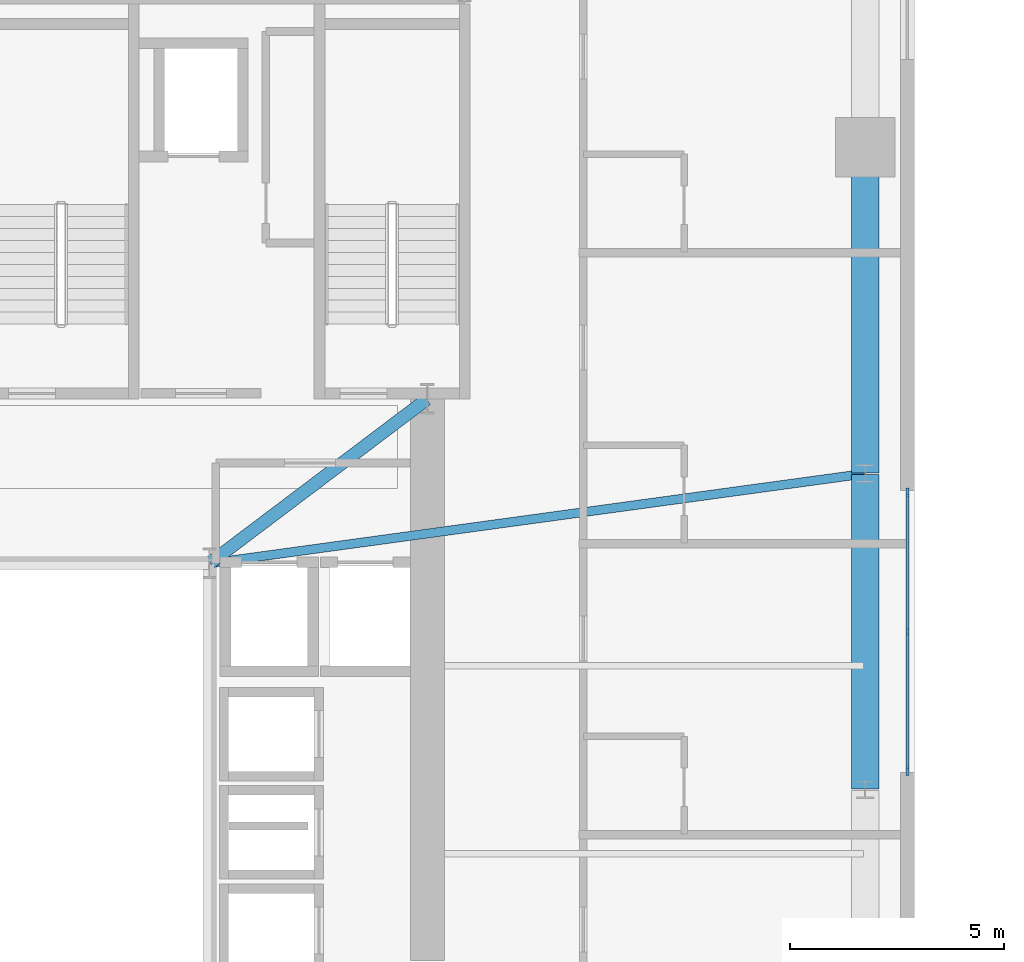
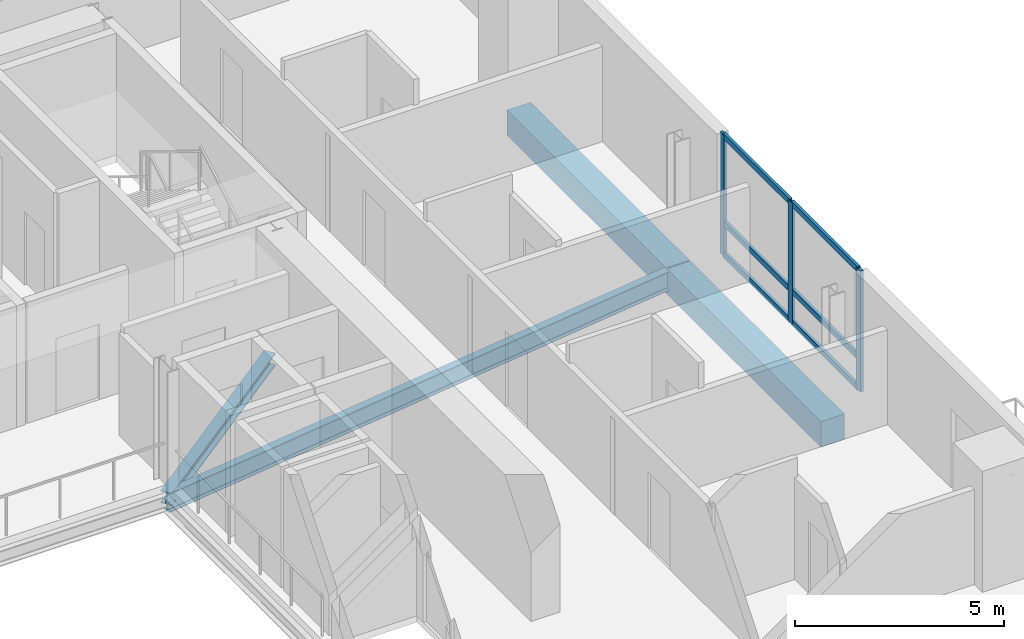
# One storey, part 5 of 16: 9 members, 4 beams, 1 element without a shape of its own.
"""IFC4 building model written with IfcOpenShell, lengths in metres."""

from ifc_helpers import new_model, si_unit, direction, frame, origin, origin_2d, place, context, subcontext, project, spatial, rectangle, i_section, extrude, source, transform, mapped, material, material_profile, profile_set, type_object, element, aggregate, save


model = new_model("IFC4")

# Units and contexts
model_context = context("Model", 3, precision=1e-05, world=origin(), true_north=direction((0.0, 1.0)))
body_context = subcontext(model_context, "Body", "Model", "MODEL_VIEW")
ifc_project = project(units=[si_unit("LENGTHUNIT", "METRE"), si_unit("AREAUNIT", "SQUARE_METRE"), si_unit("VOLUMEUNIT", "CUBIC_METRE"), si_unit("PLANEANGLEUNIT", "RADIAN"), si_unit("MASSUNIT", "GRAM", prefix="KILO")], contexts=[model_context])

# Site, building, storey
site_placement = place(None, origin())
site = spatial("IfcSite", under=ifc_project, at=site_placement, CompositionType="ELEMENT")
building_placement = place(site_placement, origin())
building = spatial("IfcBuilding", under=site, at=building_placement, Name="Vardaveli Station Tower", CompositionType="ELEMENT")
storey_placement = place(building_placement, frame((0.0, 0.0, 226.050048828125)))
storey = spatial("IfcBuildingStorey", under=building, at=storey_placement, Name="L58", CompositionType="ELEMENT", Elevation=226.050048828125)

# Beams
ifc_material_1 = material(Name="Structural steel S355J2", Category="steel")
ifc_material_profile_1 = material_profile(ifc_material_1, i_section(OverallWidth=0.300048828125, OverallDepth=0.360107421875, WebThickness=0.012451171875, FlangeThickness=0.0224609375, FilletRadius=0.027099609375, at=origin_2d()), Name="HEB 360")
ifc_profile_set_1 = profile_set([ifc_material_profile_1], Name="Structural steel S355J2")
beam_type_1 = type_object("IfcBeamType", Name="BM-HEB360", PredefinedType="BEAM", material=ifc_profile_set_1)
shared_shape_1 = source(origin(), body_context, "Body", "SweptSolid", [
    extrude(i_section(OverallWidth=0.300048828125, OverallDepth=0.360107421875, WebThickness=0.012451171875, FlangeThickness=0.0224609375, FilletRadius=0.027099609375, at=origin_2d()), origin(), (0.0, 0.0, 1.0), 6.35009765625),
])
beam_1_placement = place(storey_placement, frame((41.416015625, 26.81201171875, -0.400146484375), z_axis=(0.798118337722, 0.602500721154, 0.0), x_axis=(-0.602500721154, 0.798118337722, 0.0)))
element("IfcBeam", 1, at=beam_1_placement, inside=storey, type_object=beam_type_1, Name="CBM-L58-02", PredefinedType="BEAM", context=body_context, shape_type="MappedRepresentation", body=[
    mapped(shared_shape_1, transform((0.0, 0.0, 0.0), scale=1.0)),
])
ifc_material_2 = material(Name="Precast concrete C45/55", Category="concrete")
ifc_material_profile_2 = material_profile(ifc_material_2, rectangle(XDim=0.64990234375, YDim=0.75, at=origin_2d()), Name="LPB 650x750")
ifc_profile_set_2 = profile_set([ifc_material_profile_2], Name="Precast concrete C45/55")
beam_type_2 = type_object("IfcBeamType", Name="BM-LPB-750", PredefinedType="BEAM", material=ifc_profile_set_2)
shared_shape_2 = source(origin(), body_context, "Body", "SweptSolid", [
    extrude(rectangle(XDim=0.64990234375, YDim=0.75, at=origin_2d()), origin(), (0.0, 0.0, 1.0), 7.60009765625),
])
beam_2_placement = place(storey_placement, frame((56.75, 28.919921875, -0.594970703125), z_axis=(0.0, 1.0, 0.0), x_axis=(-1.0, 0.0, 0.0)))
element("IfcBeam", 2, at=beam_2_placement, inside=storey, type_object=beam_type_2, Name="RBM-L58-09", PredefinedType="BEAM", context=body_context, shape_type="MappedRepresentation", body=[
    mapped(shared_shape_2, transform((0.0, 0.0, 0.0), scale=1.0)),
])
shared_shape_3 = source(origin(), body_context, "Body", "SweptSolid", [
    extrude(rectangle(XDim=0.64990234375, YDim=0.75, at=origin_2d()), origin(), (0.0, 0.0, 1.0), 7.35986328125),
])
beam_3_placement = place(storey_placement, frame((56.75, 21.52001953125, -0.594970703125), z_axis=(0.0, 1.0, 0.0), x_axis=(-1.0, 0.0, 0.0)))
element("IfcBeam", 3, at=beam_3_placement, inside=storey, type_object=beam_type_2, Name="RBM-L58-08", PredefinedType="BEAM", context=body_context, shape_type="MappedRepresentation", body=[
    mapped(shared_shape_3, transform((0.0, 0.0, 0.0), scale=1.0)),
])
ifc_material_profile_3 = material_profile(ifc_material_1, i_section(OverallWidth=0.2099609375, OverallDepth=0.550048828125, WebThickness=0.010986328125, FlangeThickness=0.01708984375, FilletRadius=0.02392578125, at=origin_2d()), Name="IPE 550")
ifc_profile_set_3 = profile_set([ifc_material_profile_3], Name="Structural steel S355J2")
beam_type_3 = type_object("IfcBeamType", Name="BM-IPE550", PredefinedType="BEAM", material=ifc_profile_set_3)
shared_shape_4 = source(origin(), body_context, "Body", "SweptSolid", [
    extrude(i_section(OverallWidth=0.2099609375, OverallDepth=0.550048828125, WebThickness=0.010986328125, FlangeThickness=0.01708984375, FilletRadius=0.02392578125, at=origin_2d()), origin(), (0.0, 0.0, 1.0), 15.452880859375),
])
beam_4_placement = place(storey_placement, frame((56.730224609375, 28.897216796875, -0.4951171875), z_axis=(-0.99077191151, -0.135539733521, 0.0), x_axis=(0.135539733521, -0.99077191151, 0.0)))
element("IfcBeam", 4, at=beam_4_placement, inside=storey, type_object=beam_type_3, Name="GBM-L58-07", PredefinedType="BEAM", context=body_context, shape_type="MappedRepresentation", body=[
    mapped(shared_shape_4, transform((0.0, 0.0, 0.0), scale=1.0)),
])

# Curtain wall, members
ifc_material_3 = material(Name="Travertine stone and solar-control glass", Category="masonry")
curtain_wall_type = type_object("IfcCurtainWallType", Name="CW-SYS-5", PredefinedType="NOTDEFINED", material=ifc_material_3)
curtain_wall_placement = place(storey_placement, origin())
curtain_wall = element("IfcCurtainWall", 5, at=curtain_wall_placement, inside=storey, type_object=curtain_wall_type, Name="CW-L58-E", PredefinedType="NOTDEFINED")
ifc_material_4 = material(Name="Anodised aluminium alloy 6063-T6", Category="aluminium")
ifc_material_profile_4 = material_profile(ifc_material_4, rectangle(XDim=0.080078125, YDim=0.1650390625, at=origin_2d()), Name="CWT 80x165")
ifc_profile_set_4 = profile_set([ifc_material_profile_4], Name="Anodised aluminium alloy 6063-T6")
member_type_1 = type_object("IfcMemberType", Name="CW-SYS-5-TRAN", PredefinedType="NOTDEFINED", material=ifc_profile_set_4)
shared_shape_5 = source(origin(), body_context, "Body", "SweptSolid", [
    extrude(rectangle(XDim=0.080078125, YDim=0.1650390625, at=origin_2d()), origin(), (0.0, 0.0, 1.0), 3.179931640625),
])
member_1_placement = place(storey_placement, frame((57.739990234375, 21.97998046875, 0.0400390625), z_axis=(0.0, 1.0, 0.0), x_axis=(-1.0, 0.0, 0.0)))
member_1 = element("IfcMember", 6, at=member_1_placement, type_object=member_type_1, Name="CW-5 transom 1.1", ObjectType="TRANSOM", PredefinedType="USERDEFINED", context=body_context, shape_type="MappedRepresentation", body=[
    mapped(shared_shape_5, transform((0.0, 0.0, 0.0), scale=1.0)),
])
member_2_placement = place(storey_placement, frame((57.739990234375, 21.97998046875, 0.949951171875), z_axis=(0.0, 1.0, 0.0), x_axis=(-1.0, 0.0, 0.0)))
member_2 = element("IfcMember", 7, at=member_2_placement, type_object=member_type_1, Name="CW-5 transom 1.2", ObjectType="TRANSOM", PredefinedType="USERDEFINED", context=body_context, shape_type="MappedRepresentation", body=[
    mapped(shared_shape_5, transform((0.0, 0.0, 0.0), scale=1.0)),
])
member_3_placement = place(storey_placement, frame((57.739990234375, 21.97998046875, 3.489990234375), z_axis=(0.0, 1.0, 0.0), x_axis=(-1.0, 0.0, 0.0)))
member_3 = element("IfcMember", 8, at=member_3_placement, type_object=member_type_1, Name="CW-5 transom 1.3", ObjectType="TRANSOM", PredefinedType="USERDEFINED", context=body_context, shape_type="MappedRepresentation", body=[
    mapped(shared_shape_5, transform((0.0, 0.0, 0.0), scale=1.0)),
])
member_4_placement = place(storey_placement, frame((57.739990234375, 25.239990234375, 0.0400390625), z_axis=(0.0, 1.0, 0.0), x_axis=(-1.0, 0.0, 0.0)))
member_4 = element("IfcMember", 9, at=member_4_placement, type_object=member_type_1, Name="CW-5 transom 2.1", ObjectType="TRANSOM", PredefinedType="USERDEFINED", context=body_context, shape_type="MappedRepresentation", body=[
    mapped(shared_shape_5, transform((0.0, 0.0, 0.0), scale=1.0)),
])
member_5_placement = place(storey_placement, frame((57.739990234375, 25.239990234375, 0.949951171875), z_axis=(0.0, 1.0, 0.0), x_axis=(-1.0, 0.0, 0.0)))
member_5 = element("IfcMember", 10, at=member_5_placement, type_object=member_type_1, Name="CW-5 transom 2.2", ObjectType="TRANSOM", PredefinedType="USERDEFINED", context=body_context, shape_type="MappedRepresentation", body=[
    mapped(shared_shape_5, transform((0.0, 0.0, 0.0), scale=1.0)),
])
member_6_placement = place(storey_placement, frame((57.739990234375, 25.239990234375, 3.489990234375), z_axis=(0.0, 1.0, 0.0), x_axis=(-1.0, 0.0, 0.0)))
member_6 = element("IfcMember", 11, at=member_6_placement, type_object=member_type_1, Name="CW-5 transom 2.3", ObjectType="TRANSOM", PredefinedType="USERDEFINED", context=body_context, shape_type="MappedRepresentation", body=[
    mapped(shared_shape_5, transform((0.0, 0.0, 0.0), scale=1.0)),
])
ifc_material_profile_5 = material_profile(ifc_material_4, rectangle(XDim=0.080078125, YDim=0.205078125, at=origin_2d()), Name="CWM 80x205")
ifc_profile_set_5 = profile_set([ifc_material_profile_5], Name="Anodised aluminium alloy 6063-T6")
member_type_2 = type_object("IfcMemberType", Name="CW-SYS-5-MULL", PredefinedType="MULLION", material=ifc_profile_set_5)
shared_shape_6 = source(origin(), body_context, "Body", "SweptSolid", [
    extrude(rectangle(XDim=0.080078125, YDim=0.205078125, at=origin_2d()), origin(), (0.0, 0.0, 1.0), 3.530029296875),
])
member_7_placement = place(storey_placement, frame((57.739990234375, 21.93994140625, 0.0), z_axis=(0.0, 0.0, 1.0), x_axis=(-1.0, 0.0, 0.0)))
member_7 = element("IfcMember", 12, at=member_7_placement, type_object=member_type_2, Name="CW-5 mullion 1", PredefinedType="MULLION", context=body_context, shape_type="MappedRepresentation", body=[
    mapped(shared_shape_6, transform((0.0, 0.0, 0.0), scale=1.0)),
])
member_8_placement = place(storey_placement, frame((57.739990234375, 25.199951171875, 0.0), z_axis=(0.0, 0.0, 1.0), x_axis=(-1.0, 0.0, 0.0)))
member_8 = element("IfcMember", 13, at=member_8_placement, type_object=member_type_2, Name="CW-5 mullion 2", PredefinedType="MULLION", context=body_context, shape_type="MappedRepresentation", body=[
    mapped(shared_shape_6, transform((0.0, 0.0, 0.0), scale=1.0)),
])
member_9_placement = place(storey_placement, frame((57.739990234375, 28.4599609375, 0.0), z_axis=(0.0, 0.0, 1.0), x_axis=(-1.0, 0.0, 0.0)))
member_9 = element("IfcMember", 14, at=member_9_placement, type_object=member_type_2, Name="CW-5 mullion 3", PredefinedType="MULLION", context=body_context, shape_type="MappedRepresentation", body=[
    mapped(shared_shape_6, transform((0.0, 0.0, 0.0), scale=1.0)),
])
aggregate(curtain_wall, [member_7, member_8, member_9, member_1, member_2, member_3, member_4, member_5, member_6])

save(model, "model.ifc")
